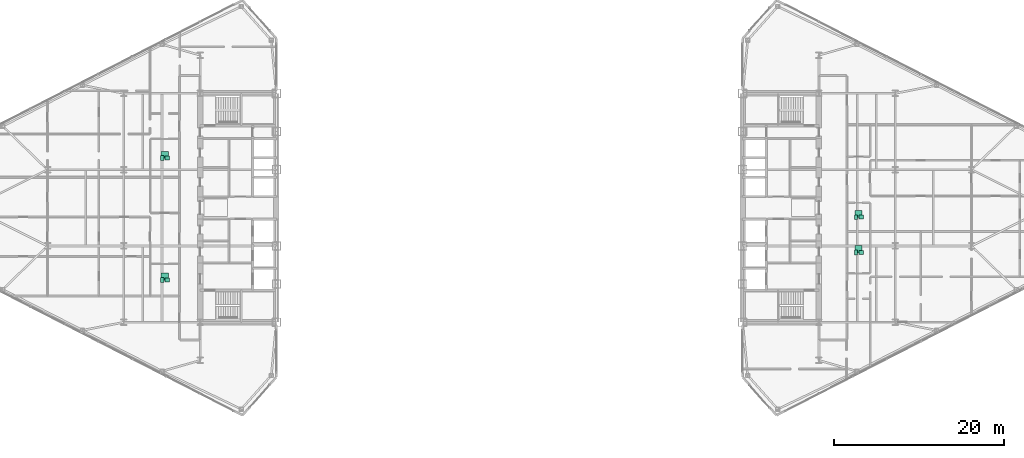
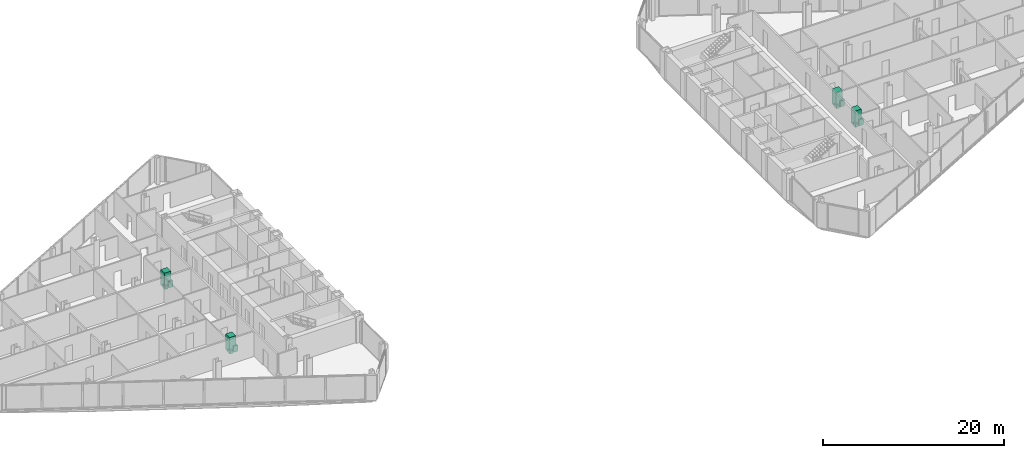
# One storey, part 24 of 24: 12 sanitary terminals.
"""IFC4 building model written with IfcOpenShell, lengths in metres."""

import ifcopenshell
import ifcopenshell.guid

model = None  # the IFC model being written
_history = None  # IfcOwnerHistory: only IFC2X3 demands one
_inside = {}  # id of a spatial element -> (the spatial element, [elements in it])
_under = {}  # id of a project, library or spatial element -> (it, [spatial elements below it])
_declared = {}  # id of a project -> (the project, [libraries it declares])
_typed = {}  # id of a type object -> (the type object, [elements of that type])
_made_of = {}  # id of a material, layer set ... -> (it, [elements and type objects made of it])


def new_model(schema):
    """Start an empty IFC model of exactly this schema.

    Asked for "IFC4X3", IfcOpenShell would pick the latest addendum, in which some entities
    have other attributes; the version numbers below select the first issue.
    IFC2X3 requires an IfcOwnerHistory on every rooted entity: one is made here for all.
    """
    global model, _history
    if schema == "IFC4X3":
        model = ifcopenshell.file(schema_version=(4, 3, 0, 0))
    else:
        model = ifcopenshell.file(schema=schema)
    _inside.clear()
    _under.clear()
    _declared.clear()
    _typed.clear()
    _made_of.clear()
    _history = None
    if model.schema == "IFC2X3":
        org = make("IfcOrganization", Name="unknown")
        user = make(
            "IfcPersonAndOrganization",
            ThePerson=make("IfcPerson", FamilyName="unknown"),
            TheOrganization=org,
        )
        app = make(
            "IfcApplication",
            ApplicationDeveloper=org,
            Version="unknown",
            ApplicationFullName="unknown",
            ApplicationIdentifier="unknown",
        )
        _history = make(
            "IfcOwnerHistory",
            OwningUser=user,
            OwningApplication=app,
            ChangeAction="ADDED",
            CreationDate=0,
        )
    return model


def make(cls, **values):
    """One entity of the class cls with the attributes given. An attribute that is None is left unset."""
    return model.create_entity(
        cls, **{name: value for name, value in values.items() if value is not None}
    )


def rooted(cls, **values):
    """An entity with a GlobalId (a new one), such as an element, a storey or a relation."""
    return make(cls, GlobalId=ifcopenshell.guid.new(), OwnerHistory=_history, **values)


def si_unit(unit_type, name, prefix=None):
    """IfcSIUnit, for example si_unit("LENGTHUNIT", "METRE", prefix="MILLI")."""
    return make("IfcSIUnit", UnitType=unit_type, Prefix=prefix, Name=name)


def assignment(units):
    """IfcUnitAssignment: the units of a project."""
    return None if units is None else make("IfcUnitAssignment", Units=units)


def point(xyz):
    """IfcCartesianPoint."""
    return None if xyz is None else make("IfcCartesianPoint", Coordinates=xyz)


def direction(xyz):
    """IfcDirection."""
    return None if xyz is None else make("IfcDirection", DirectionRatios=xyz)


def frame(location, z_axis=None, x_axis=None):
    """IfcAxis2Placement3D, a coordinate frame: its origin and axes. An axis left out is left unset."""
    return make(
        "IfcAxis2Placement3D",
        Location=point(location),
        Axis=direction(z_axis),
        RefDirection=direction(x_axis),
    )


def frame_2d(location, x_axis=None):
    """IfcAxis2Placement2D, a coordinate frame in the plane: its origin and x axis."""
    return make(
        "IfcAxis2Placement2D", Location=point(location), RefDirection=direction(x_axis)
    )


def origin():
    """The frame at (0, 0, 0) with its axes left unset."""
    return frame((0.0, 0.0, 0.0))


def origin_2d():
    """The frame at (0, 0) in the plane with its x axis left unset."""
    return frame_2d((0.0, 0.0))


def place(relative_to, where):
    """IfcLocalPlacement: puts the frame where relative to a parent placement (None: the world)."""
    return make(
        "IfcLocalPlacement", PlacementRelTo=relative_to, RelativePlacement=where
    )


def context(
    kind, dimensions, precision=None, world=None, true_north=None, identifier=None
):
    """IfcGeometricRepresentationContext, for example the 3D "Model" context."""
    return make(
        "IfcGeometricRepresentationContext",
        ContextIdentifier=identifier,
        ContextType=kind,
        CoordinateSpaceDimension=dimensions,
        Precision=precision,
        WorldCoordinateSystem=world,
        TrueNorth=true_north,
    )


def subcontext(parent, identifier, kind, view, scale=None):
    """IfcGeometricRepresentationSubContext, for example "Body" below "Model"."""
    return make(
        "IfcGeometricRepresentationSubContext",
        ContextIdentifier=identifier,
        ContextType=kind,
        ParentContext=parent,
        TargetScale=scale,
        TargetView=view,
    )


def project(units=None, contexts=None):
    """IfcProject with its units and contexts."""
    return rooted(
        "IfcProject",
        Name="project",
        RepresentationContexts=contexts,
        UnitsInContext=assignment(units),
    )


def spatial(cls, under=None, at=None, **own):
    """A site, building, storey or space (cls), placed at a placement, below another one or the project."""
    s = rooted(cls, ObjectPlacement=at, **own)
    if under is not None:
        _under.setdefault(under.id(), (under, []))[1].append(s)
    return s


def profile(cls, at=None, kind="AREA", **sizes):
    """A parametric profile (cls). Its sizes go by their IFC names, for example OverallWidth=200.0."""
    return make(cls, ProfileType=kind, Position=at, **sizes)


def rectangle(**sizes):
    """IfcRectangleProfileDef."""
    return profile("IfcRectangleProfileDef", **sizes)


def extrude(swept, where, along, depth):
    """IfcExtrudedAreaSolid: the profile swept, set in the frame where, extruded along a direction by depth."""
    return make(
        "IfcExtrudedAreaSolid",
        SweptArea=swept,
        Position=where,
        ExtrudedDirection=direction(along),
        Depth=depth,
    )


def shape(context_of_items, identifier, shape_type, items):
    """IfcShapeRepresentation: the items that make up one representation, for example the "Body"."""
    return make(
        "IfcShapeRepresentation",
        ContextOfItems=context_of_items,
        RepresentationIdentifier=identifier,
        RepresentationType=shape_type,
        Items=items,
    )


def source(mapping_origin, context_of_items, identifier, shape_type, items):
    """IfcRepresentationMap: a shape defined once, which mapped items show again and again."""
    return make(
        "IfcRepresentationMap",
        MappingOrigin=mapping_origin,
        MappedRepresentation=shape(context_of_items, identifier, shape_type, items),
    )


def transform(
    local_origin,
    x_axis=None,
    y_axis=None,
    z_axis=None,
    scale=None,
    scale2=None,
    scale3=None,
    uniform=True,
):
    """IfcCartesianTransformationOperator3D, or its non-uniform kind. x_axis, y_axis, z_axis: its Axis1, 2, 3."""
    if uniform:
        return make(
            "IfcCartesianTransformationOperator3D",
            Axis1=direction(x_axis),
            Axis2=direction(y_axis),
            LocalOrigin=point(local_origin),
            Scale=scale,
            Axis3=direction(z_axis),
        )
    return make(
        "IfcCartesianTransformationOperator3DnonUniform",
        Axis1=direction(x_axis),
        Axis2=direction(y_axis),
        LocalOrigin=point(local_origin),
        Scale=scale,
        Axis3=direction(z_axis),
        Scale2=scale2,
        Scale3=scale3,
    )


def mapped(mapping_source, mapping_target):
    """IfcMappedItem: shows the shape of a source again, moved by a transform."""
    return make(
        "IfcMappedItem", MappingSource=mapping_source, MappingTarget=mapping_target
    )


def material(Name=None, Category=None):
    """IfcMaterial."""
    return make("IfcMaterial", Name=Name, Category=Category)


def made_of(thing, what):
    """Note that an element or type object is made of a material, layer set ...; save() writes the relation."""
    if what is not None:
        _made_of.setdefault(what.id(), (what, []))[1].append(thing)
    return thing


def type_object(cls, material=None, **own):
    """A type object (cls), such as IfcWallType, which elements share."""
    return made_of(rooted(cls, **own), material)


def type_shapes(of_type, sources):
    """Give a type object the sources (RepresentationMaps) that its elements show as mapped items."""
    of_type.RepresentationMaps = sources


def element(
    cls,
    number,
    at=None,
    inside=None,
    cuts=None,
    type_object=None,
    material=None,
    context=None,
    identifier="Body",
    shape_type=None,
    held_by="IfcProductDefinitionShape",
    body=None,
    shapes=None,
    **own,
):
    """One element of the class cls, such as IfcWall. Its Tag is "e" and its number.

    at: its placement. inside: the storey or other place that contains it. cuts: it is an
    opening in that element (IfcRelVoidsElement). A single representation is given by context,
    identifier, shape_type and body (its items); several are given by shapes. held_by: the class
    of the entity that holds the representations. save() writes the other relations.
    """
    e = rooted(cls, Tag="e%d" % number, ObjectPlacement=at, **own)
    if body is not None:
        shapes = [shape(context, identifier, shape_type, body)]
    if shapes is not None:
        e.Representation = make(held_by, Representations=shapes)
    if inside is not None:
        _inside.setdefault(inside.id(), (inside, []))[1].append(e)
    if cuts is not None:
        rooted(
            "IfcRelVoidsElement", RelatingBuildingElement=cuts, RelatedOpeningElement=e
        )
    if type_object is not None:
        _typed.setdefault(type_object.id(), (type_object, []))[1].append(e)
    return made_of(e, material)


def aggregate(whole, parts):
    """IfcRelAggregates: a whole, such as a stair, and the parts it consists of."""
    return rooted("IfcRelAggregates", RelatingObject=whole, RelatedObjects=parts)


def save(model, path):
    """Write the relations noted so far, then the file.

    IfcRelAggregates (storeys below a building ...), IfcRelContainedInSpatialStructure (elements
    in a storey), IfcRelDefinesByType, IfcRelAssociatesMaterial and IfcRelDeclares: one each for
    every whole, place, type object, material and project.
    """
    for whole, parts in _under.values():
        aggregate(whole, parts)
    for where, things in _inside.values():
        rooted(
            "IfcRelContainedInSpatialStructure",
            RelatedElements=things,
            RelatingStructure=where,
        )
    for kind, things in _typed.values():
        rooted("IfcRelDefinesByType", RelatedObjects=things, RelatingType=kind)
    for what, things in _made_of.values():
        rooted("IfcRelAssociatesMaterial", RelatedObjects=things, RelatingMaterial=what)
    for by, libraries in _declared.values():
        rooted("IfcRelDeclares", RelatingContext=by, RelatedDefinitions=libraries)
    model.write(path)


model = new_model("IFC4")

# Units and contexts
model_context = context("Model", 3, precision=1e-05, world=origin(), true_north=direction((0.0, 1.0)))
body_context = subcontext(model_context, "Body", "Model", "MODEL_VIEW")
ifc_project = project(units=[si_unit("LENGTHUNIT", "METRE"), si_unit("AREAUNIT", "SQUARE_METRE"), si_unit("VOLUMEUNIT", "CUBIC_METRE"), si_unit("PLANEANGLEUNIT", "RADIAN"), si_unit("MASSUNIT", "GRAM", prefix="KILO")], contexts=[model_context])

# Site, building, storey
site_placement = place(None, origin())
site = spatial("IfcSite", under=ifc_project, at=site_placement, CompositionType="ELEMENT")
building_placement = place(site_placement, origin())
building = spatial("IfcBuilding", under=site, at=building_placement, Name="Seokmaru Belvedere", CompositionType="ELEMENT")
storey_placement = place(building_placement, frame((0.0, 0.0, 117.60009765625)))
storey = spatial("IfcBuildingStorey", under=building, at=storey_placement, Name="L31", CompositionType="ELEMENT", Elevation=117.60009765625)

# Sanitary terminals
ifc_material_1 = material(Name="Vitreous China Sanitaryware")
sanitary_terminal_type_1 = type_object("IfcSanitaryTerminalType", Name="Wall-Hung Vitreous China WC Pan", PredefinedType="TOILETPAN", material=ifc_material_1)
shared_shape_1 = source(origin(), body_context, "Body", "SweptSolid", [
    extrude(rectangle(XDim=0.3798828125, YDim=0.56005859375, at=origin_2d()), origin(), (0.0, 0.0, 1.0), 0.419921875),
])
type_shapes(sanitary_terminal_type_1, [shared_shape_1])
for number, where, z_axis, x_axis, name in (
    (1, (-40.97509765625, -8.510986328125, 0.0), (0.0, 0.0, 1.0), (1.0, 0.0, 0.0), "L31 Vitreous China WC 0176"),
    (2, (-40.97509765625, 5.864013671875, 0.0), (0.0, 0.0, 1.0), (1.0, 0.0, 0.0), "L31 Vitreous China WC 0177"),
    (3, (40.875, -5.263916015625, 0.0), (0.0, 0.0, 1.0), (1.0, 0.0, 0.0), "L31 Vitreous China WC 0178"),
    (4, (40.875, -1.10009765625, 0.0), (0.0, 0.0, 1.0), (1.0, 0.0, 0.0), "L31 Vitreous China WC 0179"),
):
    element("IfcSanitaryTerminal", number, at=place(storey_placement, frame(where, z_axis=z_axis, x_axis=x_axis)), inside=storey, type_object=sanitary_terminal_type_1, Name=name, PredefinedType="TOILETPAN", context=body_context, shape_type="MappedRepresentation", body=[
        mapped(shared_shape_1, transform((0.0, 0.0, 0.0), scale=1.0)),
    ])
sanitary_terminal_type_2 = type_object("IfcSanitaryTerminalType", Name="Countertop Ceramic Washhand Basin", PredefinedType="WASHHANDBASIN", material=ifc_material_1)
shared_shape_2 = source(origin(), body_context, "Body", "SweptSolid", [
    extrude(rectangle(XDim=0.550048828125, YDim=0.449951171875, at=origin_2d()), origin(), (0.0, 0.0, 1.0), 0.820068359375),
])
type_shapes(sanitary_terminal_type_2, [shared_shape_2])
for number, where, z_axis, x_axis, name in (
    (5, (-40.375, -8.510986328125, 0.0), (0.0, 0.0, 1.0), (1.0, 0.0, 0.0), "L31 Ceramic Washhand Basin 0176"),
    (6, (-40.375, 5.864013671875, 0.0), (0.0, 0.0, 1.0), (1.0, 0.0, 0.0), "L31 Ceramic Washhand Basin 0177"),
    (7, (41.47509765625, -5.263916015625, 0.0), (0.0, 0.0, 1.0), (1.0, 0.0, 0.0), "L31 Ceramic Washhand Basin 0178"),
    (8, (41.47509765625, -1.10009765625, 0.0), (0.0, 0.0, 1.0), (1.0, 0.0, 0.0), "L31 Ceramic Washhand Basin 0179"),
):
    element("IfcSanitaryTerminal", number, at=place(storey_placement, frame(where, z_axis=z_axis, x_axis=x_axis)), inside=storey, type_object=sanitary_terminal_type_2, Name=name, PredefinedType="WASHHANDBASIN", context=body_context, shape_type="MappedRepresentation", body=[
        mapped(shared_shape_2, transform((0.0, 0.0, 0.0), scale=1.0)),
    ])
ifc_material_2 = material(Name="Stainless Steel 316", Category="steel")
sanitary_terminal_type_3 = type_object("IfcSanitaryTerminalType", Name="Walk-In Thermostatic Rain Shower Enclosure", PredefinedType="SHOWER", material=ifc_material_2)
shared_shape_3 = source(origin(), body_context, "Body", "SweptSolid", [
    extrude(rectangle(XDim=0.85009765625, YDim=0.85009765625, at=origin_2d()), origin(), (0.0, 0.0, 1.0), 2.050048828125),
])
type_shapes(sanitary_terminal_type_3, [shared_shape_3])
for number, where, z_axis, x_axis, name in (
    (9, (-40.675048828125, -8.131103515625, 0.0), (0.0, 0.0, 1.0), (1.0, 0.0, 0.0), "L31 Walk-In Shower 0176"),
    (10, (-40.675048828125, 6.243896484375, 0.0), (0.0, 0.0, 1.0), (1.0, 0.0, 0.0), "L31 Walk-In Shower 0177"),
    (11, (41.175048828125, -4.884033203125, 0.0), (0.0, 0.0, 1.0), (1.0, 0.0, 0.0), "L31 Walk-In Shower 0178"),
    (12, (41.175048828125, -0.719970703125, 0.0), (0.0, 0.0, 1.0), (1.0, 0.0, 0.0), "L31 Walk-In Shower 0179"),
):
    element("IfcSanitaryTerminal", number, at=place(storey_placement, frame(where, z_axis=z_axis, x_axis=x_axis)), inside=storey, type_object=sanitary_terminal_type_3, Name=name, PredefinedType="SHOWER", context=body_context, shape_type="MappedRepresentation", body=[
        mapped(shared_shape_3, transform((0.0, 0.0, 0.0), scale=1.0)),
    ])

save(model, "model.ifc")
